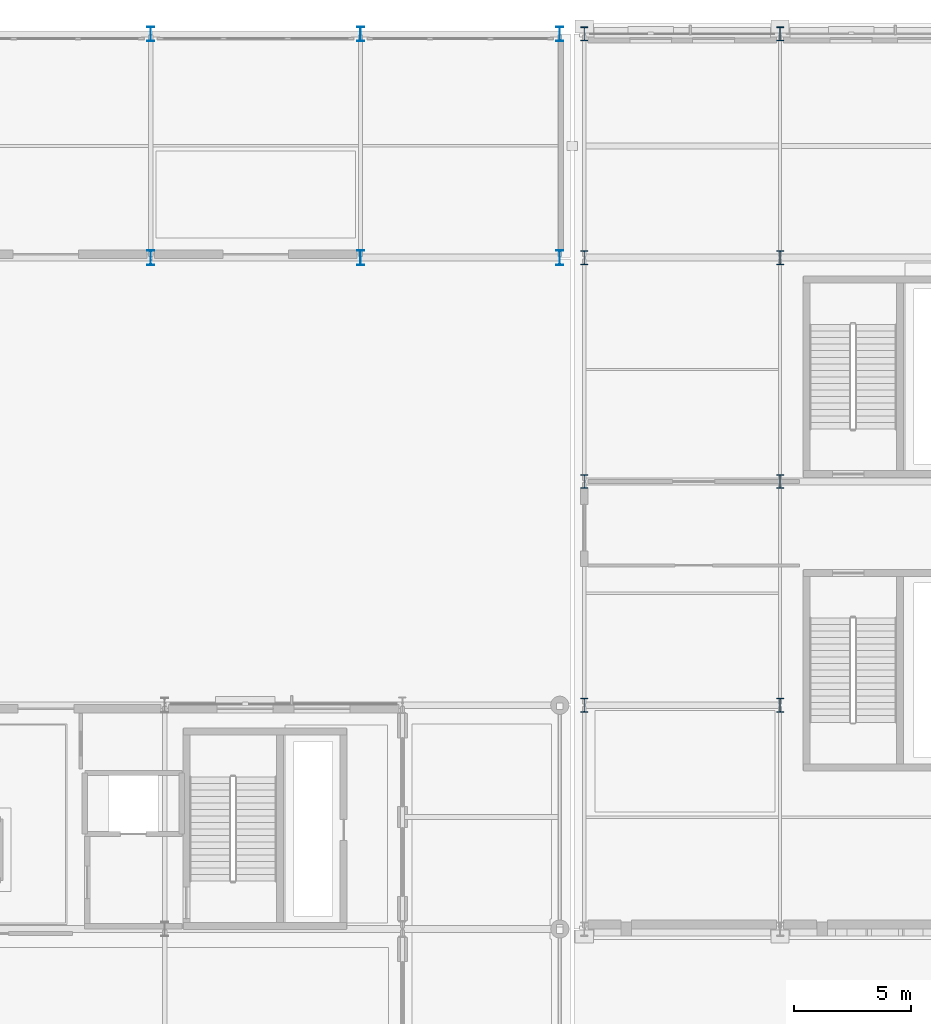
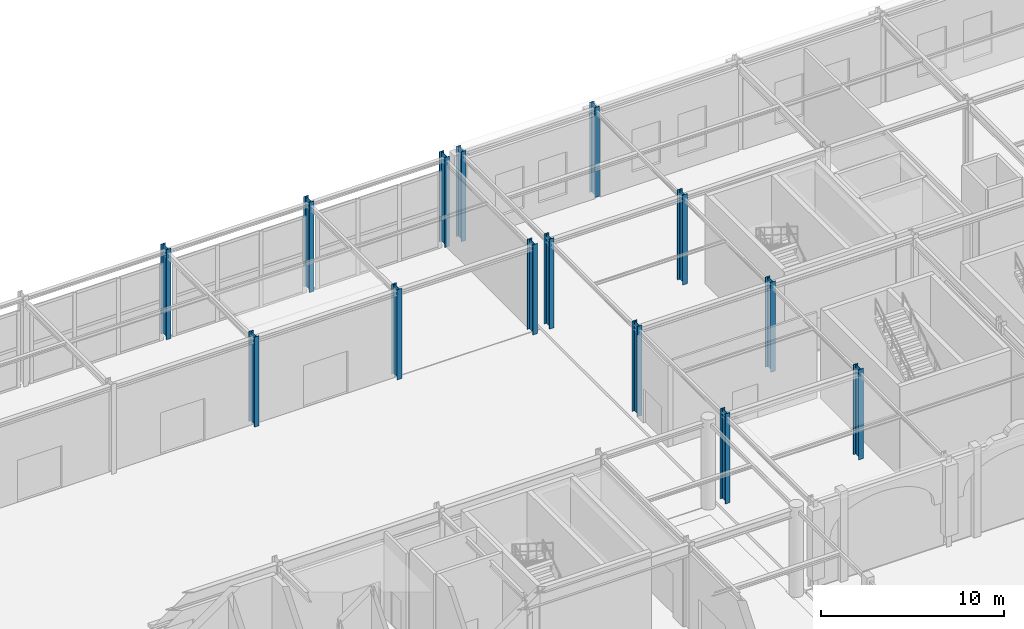
# One storey, part 17 of 113: 14 columns.
"""IFC4 building model written with IfcOpenShell, lengths in metres."""

from ifc_helpers import new_model, si_unit, direction, frame, origin, origin_2d, place, context, subcontext, project, spatial, i_section, extrude, material, material_profile, profile_set, type_object, element, save


model = new_model("IFC4")

# Units and contexts
model_context = context("Model", 3, precision=1e-05, world=origin(), true_north=direction((0.0, 1.0)))
body_context = subcontext(model_context, "Body", "Model", "MODEL_VIEW")
ifc_project = project(units=[si_unit("LENGTHUNIT", "METRE"), si_unit("AREAUNIT", "SQUARE_METRE"), si_unit("VOLUMEUNIT", "CUBIC_METRE"), si_unit("PLANEANGLEUNIT", "RADIAN"), si_unit("MASSUNIT", "GRAM", prefix="KILO")], contexts=[model_context])

# Site, building, storey
site_placement = place(None, origin())
site = spatial("IfcSite", under=ifc_project, at=site_placement, CompositionType="ELEMENT")
building_placement = place(site_placement, origin())
building = spatial("IfcBuilding", under=site, at=building_placement, Name="Myrtia Square Station", CompositionType="ELEMENT")
storey_placement = place(building_placement, origin())
storey = spatial("IfcBuildingStorey", under=building, at=storey_placement, Name="L00", CompositionType="ELEMENT", Elevation=0.0)

# Columns
ifc_material = material(Name="Steel S355", Category="steel")
ifc_material_profile_1 = material_profile(ifc_material, i_section(OverallWidth=0.300048828125, OverallDepth=0.639892578125, WebThickness=0.013427734375, FlangeThickness=0.02587890625, FilletRadius=0.027099609375, at=origin_2d()), Name="HEA 650")
ifc_profile_set_1 = profile_set([ifc_material_profile_1], Name="Steel S355")
column_type_1 = type_object("IfcColumnType", Name="COL-HEA650", PredefinedType="COLUMN", material=ifc_profile_set_1)
for number, where, z_axis, x_axis, name in (
    (1, (99.0, 115.199951171875, 0.0), (0.0, 0.0, 1.0), (1.0, 0.0, 0.0), "Column L00-0748"),
    (2, (99.0, 124.800048828125, 0.0), (0.0, 0.0, 1.0), (1.0, 0.0, 0.0), "Column L00-0750"),
    (3, (108.0, 115.199951171875, 0.0), (0.0, 0.0, 1.0), (1.0, 0.0, 0.0), "Column L00-0752"),
    (4, (108.0, 124.800048828125, 0.0), (0.0, 0.0, 1.0), (1.0, 0.0, 0.0), "Column L00-0754"),
    (5, (116.550048828125, 115.199951171875, 0.0), (0.0, 0.0, 1.0), (1.0, 0.0, 0.0), "Column L00-0756"),
    (6, (116.550048828125, 124.800048828125, 0.0), (0.0, 0.0, 1.0), (1.0, 0.0, 0.0), "Column L00-0758"),
):
    element("IfcColumn", number, at=place(storey_placement, frame(where, z_axis=z_axis, x_axis=x_axis)), inside=storey, type_object=column_type_1, Name=name, PredefinedType="COLUMN", context=body_context, shape_type="SweptSolid", body=[
        extrude(i_section(OverallWidth=0.300048828125, OverallDepth=0.639892578125, WebThickness=0.013427734375, FlangeThickness=0.02587890625, FilletRadius=0.027099609375, at=origin_2d()), origin(), (0.0, 0.0, 1.0), 6.0),
    ])
ifc_material_profile_2 = material_profile(ifc_material, i_section(OverallWidth=0.300048828125, OverallDepth=0.60009765625, WebThickness=0.015380859375, FlangeThickness=0.030029296875, FilletRadius=0.027099609375, at=origin_2d()), Name="HEB 600")
ifc_profile_set_2 = profile_set([ifc_material_profile_2], Name="Steel S355")
column_type_2 = type_object("IfcColumnType", Name="COL-HEB600", PredefinedType="COLUMN", material=ifc_profile_set_2)
for number, where, z_axis, x_axis, name in (
    (7, (117.60009765625, 96.0, 0.0), (0.0, 0.0, 1.0), (1.0, 0.0, 0.0), "Column L00-0764"),
    (8, (117.60009765625, 105.60009765625, 0.0), (0.0, 0.0, 1.0), (1.0, 0.0, 0.0), "Column L00-0768"),
    (9, (117.60009765625, 115.199951171875, 0.0), (0.0, 0.0, 1.0), (1.0, 0.0, 0.0), "Column L00-0772"),
    (10, (117.60009765625, 124.800048828125, 0.0), (0.0, 0.0, 1.0), (1.0, 0.0, 0.0), "Column L00-0776"),
    (11, (126.0, 96.0, 0.0), (0.0, 0.0, 1.0), (1.0, 0.0, 0.0), "Column L00-0786"),
    (12, (126.0, 105.60009765625, 0.0), (0.0, 0.0, 1.0), (1.0, 0.0, 0.0), "Column L00-0792"),
    (13, (126.0, 115.199951171875, 0.0), (0.0, 0.0, 1.0), (1.0, 0.0, 0.0), "Column L00-0798"),
    (14, (126.0, 124.800048828125, 0.0), (0.0, 0.0, 1.0), (1.0, 0.0, 0.0), "Column L00-0804"),
):
    element("IfcColumn", number, at=place(storey_placement, frame(where, z_axis=z_axis, x_axis=x_axis)), inside=storey, type_object=column_type_2, Name=name, PredefinedType="COLUMN", context=body_context, shape_type="SweptSolid", body=[
        extrude(i_section(OverallWidth=0.300048828125, OverallDepth=0.60009765625, WebThickness=0.015380859375, FlangeThickness=0.030029296875, FilletRadius=0.027099609375, at=origin_2d()), origin(), (0.0, 0.0, 1.0), 6.0),
    ])

save(model, "model.ifc")
